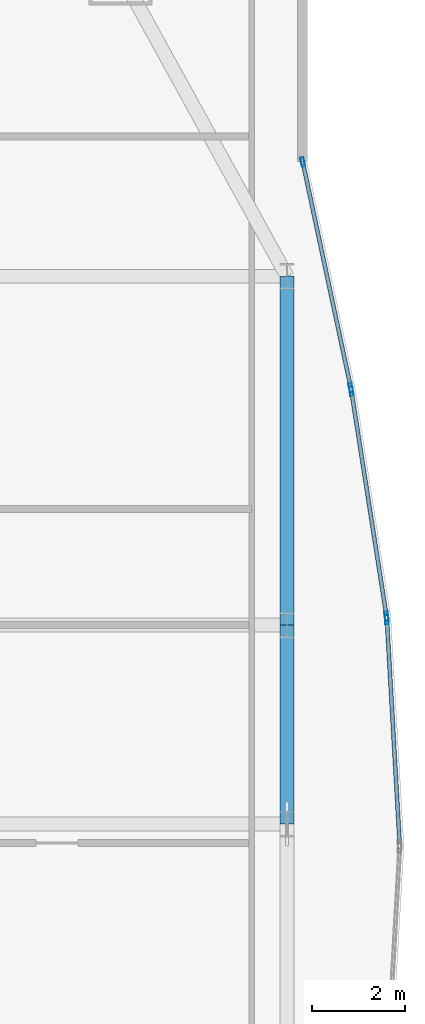
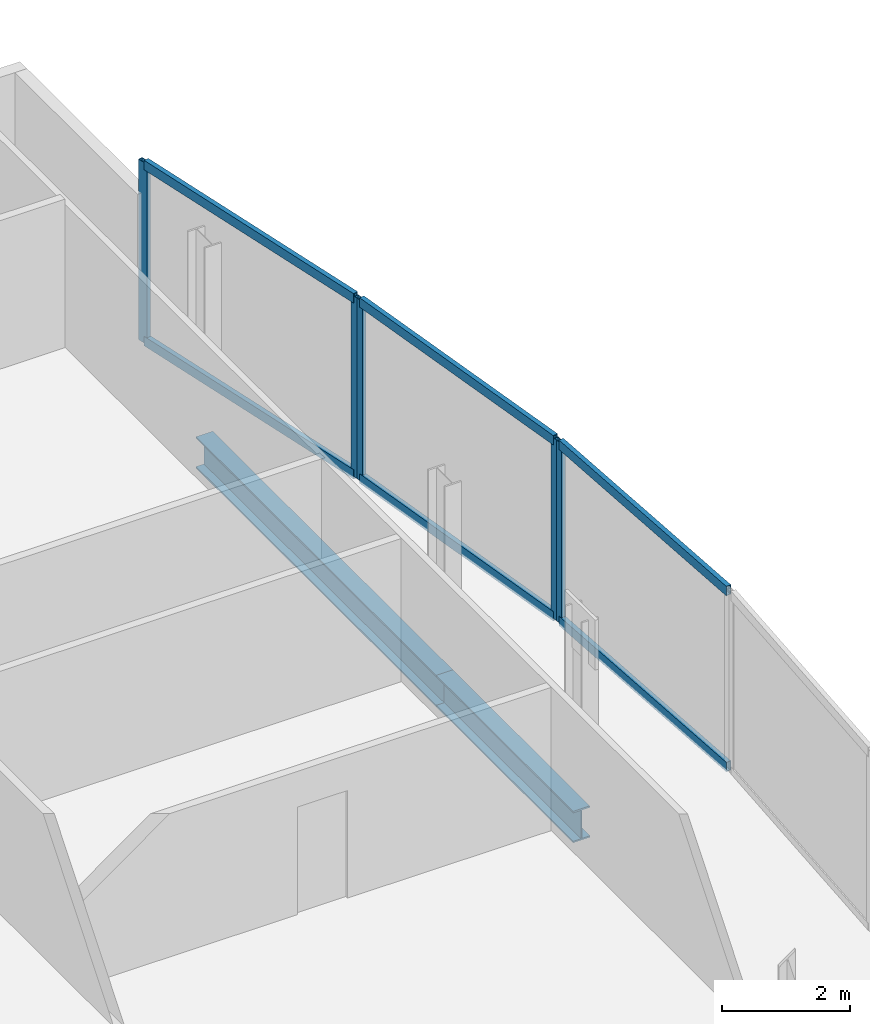
# One storey, part 22 of 29: 11 members, 2 beams, 3 elements without a shape of their own.
"""IFC4 building model written with IfcOpenShell, lengths in metres."""

from ifc_helpers import new_model, si_unit, direction, frame, origin, origin_2d, place, context, subcontext, project, spatial, hollow_rectangle, i_section, extrude, material, material_profile, profile_set, type_object, element, aggregate, save


model = new_model("IFC4")

# Units and contexts
model_context = context("Model", 3, precision=1e-05, world=origin(), true_north=direction((0.0, 1.0)))
body_context = subcontext(model_context, "Body", "Model", "MODEL_VIEW")
ifc_project = project(units=[si_unit("LENGTHUNIT", "METRE"), si_unit("AREAUNIT", "SQUARE_METRE"), si_unit("VOLUMEUNIT", "CUBIC_METRE"), si_unit("PLANEANGLEUNIT", "RADIAN"), si_unit("MASSUNIT", "GRAM", prefix="KILO")], contexts=[model_context])

# Site, building, storey
site_placement = place(None, origin())
site = spatial("IfcSite", under=ifc_project, at=site_placement, CompositionType="ELEMENT")
building_placement = place(site_placement, origin())
building = spatial("IfcBuilding", under=site, at=building_placement, Name="Khoronbel Lancet Exchange", CompositionType="ELEMENT")
storey_placement = place(building_placement, frame((0.0, 0.0, 165.0)))
storey = spatial("IfcBuildingStorey", under=building, at=storey_placement, Name="L41", CompositionType="ELEMENT", Elevation=165.0)

# Beams
ifc_material_1 = material(Name="Steel S355", Category="steel")
ifc_material_profile_1 = material_profile(ifc_material_1, i_section(OverallWidth=0.300048828125, OverallDepth=0.60009765625, WebThickness=0.015380859375, FlangeThickness=0.030029296875, at=origin_2d()), Name="HEB 600")
ifc_profile_set_1 = profile_set([ifc_material_profile_1], Name="Steel S355")
beam_type = type_object("IfcBeamType", Name="BM-BSP2", PredefinedType="SPANDREL", material=ifc_profile_set_1)
beam_1_placement = place(storey_placement, frame((67.6298828125, 31.425048828125, -0.4599609375), z_axis=(0.0, 1.0, 0.0), x_axis=(-1.0, 0.0, 0.0)))
element("IfcBeam", 1, at=beam_1_placement, inside=storey, type_object=beam_type, Name="Level L41 perimeter spandrel beam SP13", PredefinedType="SPANDREL", context=body_context, shape_type="SweptSolid", body=[
    extrude(i_section(OverallWidth=0.300048828125, OverallDepth=0.60009765625, WebThickness=0.015380859375, FlangeThickness=0.030029296875, at=origin_2d()), origin(), (0.0, 0.0, 1.0), 4.27490234375),
])
beam_2_placement = place(storey_placement, frame((67.6298828125, 35.699951171875, -0.4599609375), z_axis=(0.0, 1.0, 0.0), x_axis=(-1.0, 0.0, 0.0)))
element("IfcBeam", 2, at=beam_2_placement, inside=storey, type_object=beam_type, Name="Level L41 perimeter spandrel beam SP14", PredefinedType="SPANDREL", context=body_context, shape_type="SweptSolid", body=[
    extrude(i_section(OverallWidth=0.300048828125, OverallDepth=0.60009765625, WebThickness=0.015380859375, FlangeThickness=0.030029296875, at=origin_2d()), origin(), (0.0, 0.0, 1.0), 7.5),
])

# Curtain wall, members
ifc_material_2 = material(Name="Low-E Solar Control Insulating Glass", Category="glass")
curtain_wall_type = type_object("IfcCurtainWallType", Name="CW-4", PredefinedType="NOTDEFINED", material=ifc_material_2)
curtain_wall_1_placement = place(storey_placement, origin())
curtain_wall_1 = element("IfcCurtainWall", 3, at=curtain_wall_1_placement, inside=storey, type_object=curtain_wall_type, Name="Unitised curtain wall CW-L41-E17", PredefinedType="NOTDEFINED")
ifc_material_3 = material(Name="Bronze-Anodised Aluminium 6063-T6", Category="aluminium")
ifc_material_profile_2 = material_profile(ifc_material_3, hollow_rectangle(XDim=0.074951171875, YDim=0.199951171875, WallThickness=0.0048828125, at=origin_2d()), Name="ALU MULLION 75x200")
ifc_profile_set_2 = profile_set([ifc_material_profile_2], Name="Bronze-Anodised Aluminium 6063-T6")
member_type_1 = type_object("IfcMemberType", Name="MEM-CWM2", PredefinedType="MULLION", material=ifc_profile_set_2)
member_1_placement = place(storey_placement, frame((67.9677734375, 45.65380859375, 0.0), z_axis=(0.0, 0.0, 1.0), x_axis=(0.978075720441, 0.208249574031, 0.0)))
member_1 = element("IfcMember", 4, at=member_1_placement, type_object=member_type_1, Name="CW4 mullion 1", PredefinedType="MULLION", context=body_context, shape_type="SweptSolid", body=[
    extrude(hollow_rectangle(XDim=0.074951171875, YDim=0.199951171875, WallThickness=0.0048828125, at=origin_2d()), origin(), (0.0, 0.0, 1.0), 3.43994140625),
])
member_2_placement = place(storey_placement, frame((69.00048828125, 40.8037109375, 0.0), z_axis=(0.0, 0.0, 1.0), x_axis=(0.978075720441, 0.208249574031, 0.0)))
member_2 = element("IfcMember", 5, at=member_2_placement, type_object=member_type_1, Name="CW4 mullion 2", PredefinedType="MULLION", context=body_context, shape_type="SweptSolid", body=[
    extrude(hollow_rectangle(XDim=0.074951171875, YDim=0.199951171875, WallThickness=0.0048828125, at=origin_2d()), origin(), (0.0, 0.0, 1.0), 3.43994140625),
])

curtain_wall_2_placement = place(storey_placement, origin())
curtain_wall_2 = element("IfcCurtainWall", 6, at=curtain_wall_2_placement, inside=storey, type_object=curtain_wall_type, Name="Unitised curtain wall CW-L41-E18", PredefinedType="NOTDEFINED")
member_3_placement = place(storey_placement, frame((69.01416015625, 40.72998046875, 0.0), z_axis=(0.0, 0.0, 1.0), x_axis=(0.988068944091, 0.154012212903, 0.0)))
member_3 = element("IfcMember", 7, at=member_3_placement, type_object=member_type_1, Name="CW4 mullion 1", PredefinedType="MULLION", context=body_context, shape_type="SweptSolid", body=[
    extrude(hollow_rectangle(XDim=0.074951171875, YDim=0.199951171875, WallThickness=0.0048828125, at=origin_2d()), origin(), (0.0, 0.0, 1.0), 3.43994140625),
])
member_4_placement = place(storey_placement, frame((69.767822265625, 35.894287109375, 0.0), z_axis=(0.0, 0.0, 1.0), x_axis=(0.988068944091, 0.154012212903, 0.0)))
member_4 = element("IfcMember", 8, at=member_4_placement, type_object=member_type_1, Name="CW4 mullion 2", PredefinedType="MULLION", context=body_context, shape_type="SweptSolid", body=[
    extrude(hollow_rectangle(XDim=0.074951171875, YDim=0.199951171875, WallThickness=0.0048828125, at=origin_2d()), origin(), (0.0, 0.0, 1.0), 3.43994140625),
])

# Curtain wall, member
curtain_wall_3_placement = place(storey_placement, origin())
curtain_wall_3 = element("IfcCurtainWall", 9, at=curtain_wall_3_placement, inside=storey, type_object=curtain_wall_type, Name="Unitised curtain wall CW-L41-E19", PredefinedType="NOTDEFINED")
member_5_placement = place(storey_placement, frame((69.775634765625, 35.81982421875, 0.0), z_axis=(0.0, 0.0, 1.0), x_axis=(0.998376098551, 0.056966357111, 0.0)))
member_5 = element("IfcMember", 10, at=member_5_placement, type_object=member_type_1, Name="CW4 mullion 1", PredefinedType="MULLION", context=body_context, shape_type="SweptSolid", body=[
    extrude(hollow_rectangle(XDim=0.074951171875, YDim=0.199951171875, WallThickness=0.0048828125, at=origin_2d()), origin(), (0.0, 0.0, 1.0), 3.43994140625),
])

# Member
ifc_material_profile_3 = material_profile(ifc_material_3, hollow_rectangle(XDim=0.0849609375, YDim=0.179931640625, WallThickness=0.0048828125, at=origin_2d()), Name="ALU TRANSOM 85x180")
ifc_profile_set_3 = profile_set([ifc_material_profile_3], Name="Bronze-Anodised Aluminium 6063-T6")
member_type_2 = type_object("IfcMemberType", Name="MEM-CWT1", PredefinedType="USERDEFINED", material=ifc_profile_set_3)
member_6_placement = place(storey_placement, frame((67.9755859375, 45.6171875, 0.04248046875), z_axis=(0.208252130419, -0.978075176137, 0.0), x_axis=(0.978075176137, 0.208252130419, 0.0)))
member_6 = element("IfcMember", 11, at=member_6_placement, type_object=member_type_2, Name="CW4 transom 1.1", ObjectType="TRANSOM", PredefinedType="USERDEFINED", context=body_context, shape_type="SweptSolid", body=[
    extrude(hollow_rectangle(XDim=0.0849609375, YDim=0.179931640625, WallThickness=0.0048828125, at=origin_2d()), origin(), (0.0, 0.0, 1.0), 4.884033203125),
])

member_7_placement = place(storey_placement, frame((67.9755859375, 45.6171875, 3.3974609375), z_axis=(0.208252130419, -0.978075176137, 0.0), x_axis=(0.978075176137, 0.208252130419, 0.0)))
member_7 = element("IfcMember", 12, at=member_7_placement, type_object=member_type_2, Name="CW4 transom 1.2", ObjectType="TRANSOM", PredefinedType="USERDEFINED", context=body_context, shape_type="SweptSolid", body=[
    extrude(hollow_rectangle(XDim=0.0849609375, YDim=0.179931640625, WallThickness=0.0048828125, at=origin_2d()), origin(), (0.0, 0.0, 1.0), 4.884033203125),
])

aggregate(curtain_wall_1, [member_1, member_2, member_6, member_7])

member_8_placement = place(storey_placement, frame((69.019775390625, 40.69287109375, 0.04248046875), z_axis=(0.154013684696, -0.988068714678, 0.0), x_axis=(0.988068714678, 0.154013684696, 0.0)))
member_8 = element("IfcMember", 13, at=member_8_placement, type_object=member_type_2, Name="CW4 transom 1.1", ObjectType="TRANSOM", PredefinedType="USERDEFINED", context=body_context, shape_type="SweptSolid", body=[
    extrude(hollow_rectangle(XDim=0.0849609375, YDim=0.179931640625, WallThickness=0.0048828125, at=origin_2d()), origin(), (0.0, 0.0, 1.0), 4.819091796875),
])

member_9_placement = place(storey_placement, frame((69.019775390625, 40.69287109375, 3.3974609375), z_axis=(0.154013684696, -0.988068714678, 0.0), x_axis=(0.988068714678, 0.154013684696, 0.0)))
member_9 = element("IfcMember", 14, at=member_9_placement, type_object=member_type_2, Name="CW4 transom 1.2", ObjectType="TRANSOM", PredefinedType="USERDEFINED", context=body_context, shape_type="SweptSolid", body=[
    extrude(hollow_rectangle(XDim=0.0849609375, YDim=0.179931640625, WallThickness=0.0048828125, at=origin_2d()), origin(), (0.0, 0.0, 1.0), 4.819091796875),
])

aggregate(curtain_wall_2, [member_3, member_4, member_8, member_9])

member_10_placement = place(storey_placement, frame((69.77783203125, 35.7822265625, 0.04248046875), z_axis=(0.056973916756, -0.998375667176, 0.0), x_axis=(0.998375667176, 0.056973916756, 0.0)))
member_10 = element("IfcMember", 15, at=member_10_placement, type_object=member_type_2, Name="CW4 transom 1.1", ObjectType="TRANSOM", PredefinedType="USERDEFINED", context=body_context, shape_type="SweptSolid", body=[
    extrude(hollow_rectangle(XDim=0.0849609375, YDim=0.179931640625, WallThickness=0.0048828125, at=origin_2d()), origin(), (0.0, 0.0, 1.0), 4.76513671875),
])

member_11_placement = place(storey_placement, frame((69.77783203125, 35.7822265625, 3.3974609375), z_axis=(0.056973916756, -0.998375667176, 0.0), x_axis=(0.998375667176, 0.056973916756, 0.0)))
member_11 = element("IfcMember", 16, at=member_11_placement, type_object=member_type_2, Name="CW4 transom 1.2", ObjectType="TRANSOM", PredefinedType="USERDEFINED", context=body_context, shape_type="SweptSolid", body=[
    extrude(hollow_rectangle(XDim=0.0849609375, YDim=0.179931640625, WallThickness=0.0048828125, at=origin_2d()), origin(), (0.0, 0.0, 1.0), 4.76513671875),
])

aggregate(curtain_wall_3, [member_5, member_10, member_11])

save(model, "model.ifc")
